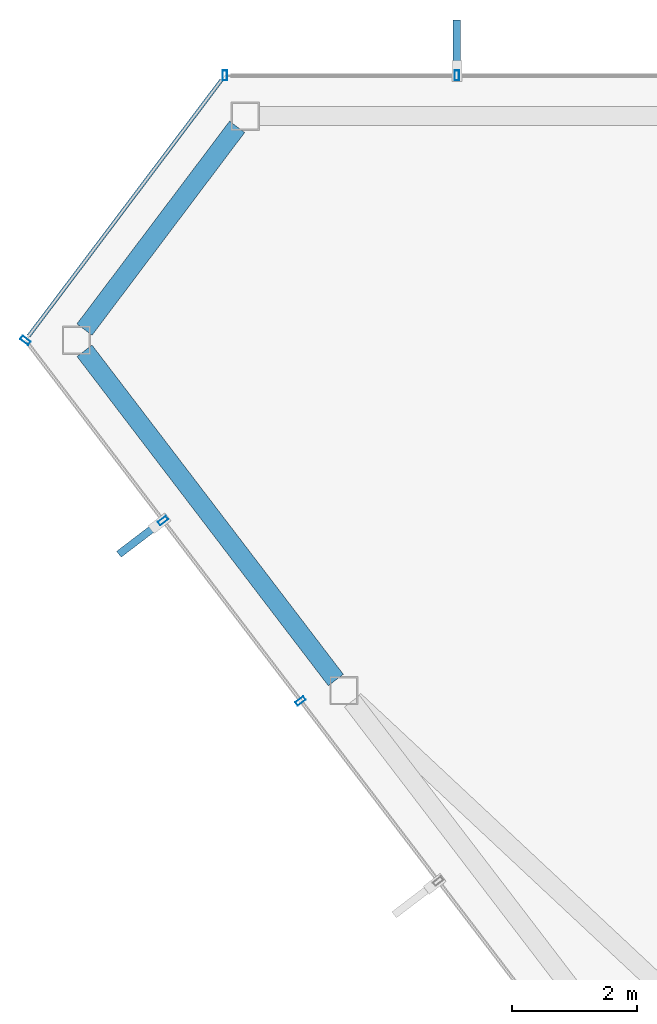
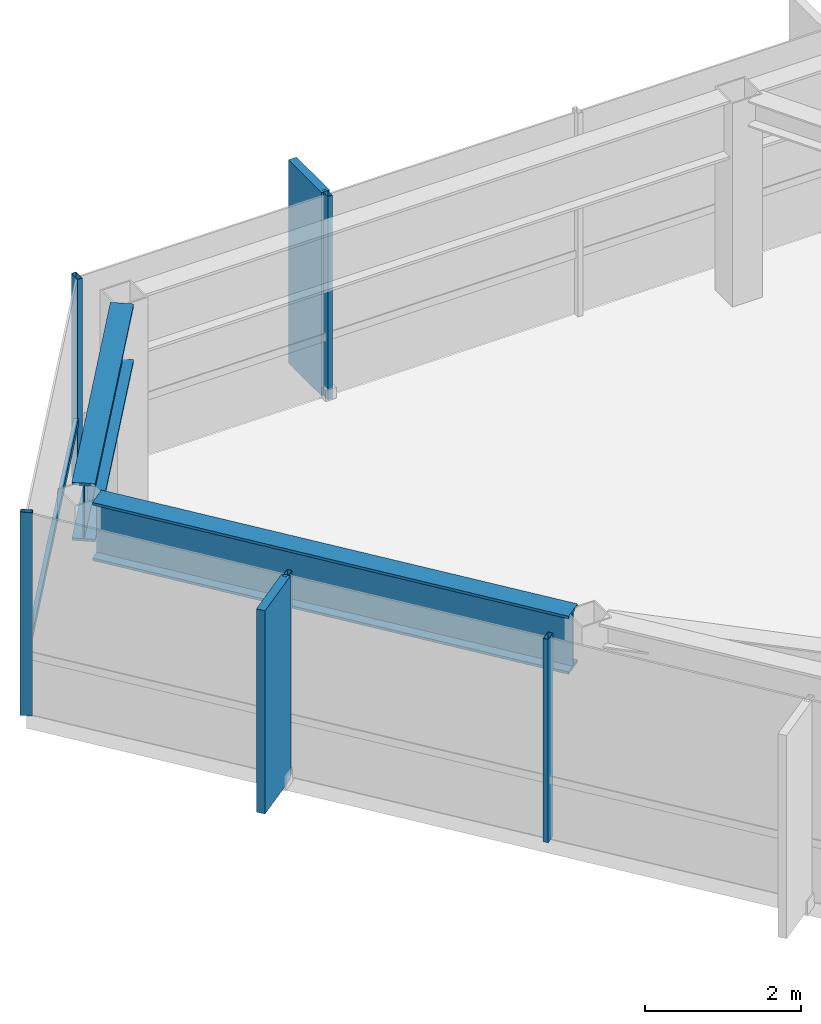
# One storey, part 10 of 22: 8 members, 2 beams, 3 elements without a shape of their own.
"""IFC4 building model written with IfcOpenShell, lengths in metres."""

from ifc_helpers import new_model, si_unit, direction, frame, origin, origin_2d, place, context, subcontext, project, spatial, rectangle, hollow_rectangle, i_section, extrude, material, layer, layer_set, material_profile, profile_set, type_object, element, aggregate, save


model = new_model("IFC4")

# Units and contexts
model_context = context("Model", 3, precision=1e-05, world=origin(), true_north=direction((0.0, 1.0)))
body_context = subcontext(model_context, "Body", "Model", "MODEL_VIEW")
ifc_project = project(units=[si_unit("LENGTHUNIT", "METRE"), si_unit("AREAUNIT", "SQUARE_METRE"), si_unit("VOLUMEUNIT", "CUBIC_METRE"), si_unit("PLANEANGLEUNIT", "RADIAN"), si_unit("MASSUNIT", "GRAM", prefix="KILO")], contexts=[model_context])

# Site, building, storey
site_placement = place(None, origin())
site = spatial("IfcSite", under=ifc_project, at=site_placement, CompositionType="ELEMENT")
building_placement = place(site_placement, origin())
building = spatial("IfcBuilding", under=site, at=building_placement, Name="Zarrinselat Tower", CompositionType="ELEMENT")
storey_placement = place(building_placement, frame((0.0, 0.0, 289.0)))
storey = spatial("IfcBuildingStorey", under=building, at=storey_placement, Name="L74", CompositionType="ELEMENT", Elevation=289.0)

# Beams
ifc_material_1 = material(Name="Steel S460M", Category="steel")
ifc_material_profile_1 = material_profile(ifc_material_1, i_section(OverallWidth=0.302001953125, OverallDepth=0.909912109375, WebThickness=0.02099609375, FlangeThickness=0.0400390625, at=origin_2d()), Name="HEM 900")
ifc_profile_set_1 = profile_set([ifc_material_profile_1], Name="Steel S460M")
beam_type = type_object("IfcBeamType", Name="BM-HEM900", PredefinedType="BEAM", material=ifc_profile_set_1)
beam_1_placement = place(storey_placement, frame((17.4892578125, 43.460205078125, 2.72509765625), z_axis=(0.601656958358, 0.798754595893, 0.0), x_axis=(-0.798754595893, 0.601656958358, 0.0)))
element("IfcBeam", 1, at=beam_1_placement, inside=storey, type_object=beam_type, Name="L74 Perimeter Spandrel Girder SP05", PredefinedType="BEAM", context=body_context, shape_type="SweptSolid", body=[
    extrude(i_section(OverallWidth=0.302001953125, OverallDepth=0.909912109375, WebThickness=0.02099609375, FlangeThickness=0.0400390625, at=origin_2d()), origin(), (0.0, 0.0, 1.0), 4.0517578125),
])
beam_2_placement = place(storey_placement, frame((17.490234375, 43.120849609375, 2.72509765625), z_axis=(0.606819456319, -0.794839699205, 0.0), x_axis=(0.794839699205, 0.606819456319, 0.0)))
element("IfcBeam", 2, at=beam_2_placement, inside=storey, type_object=beam_type, Name="L74 Perimeter Spandrel Girder SP06", PredefinedType="BEAM", context=body_context, shape_type="SweptSolid", body=[
    extrude(i_section(OverallWidth=0.302001953125, OverallDepth=0.909912109375, WebThickness=0.02099609375, FlangeThickness=0.0400390625, at=origin_2d()), origin(), (0.0, 0.0, 1.0), 6.61181640625),
])

# Curtain wall, members
ifc_material_2 = material(Name="Extruded Aluminium Alloy EN AW-6063 T6", Category="aluminium")
ifc_layer = layer(ifc_material_2, 0.169921875)
ifc_layer_set = layer_set([ifc_layer], Name="Extruded Aluminium Alloy EN AW-6063 T6")
curtain_wall_type = type_object("IfcCurtainWallType", Name="CWS-RES", PredefinedType="NOTDEFINED", material=ifc_layer_set)
curtain_wall_1_placement = place(storey_placement, origin())
curtain_wall_1 = element("IfcCurtainWall", 3, at=curtain_wall_1_placement, inside=storey, type_object=curtain_wall_type, Name="L74 Unitised Curtain Wall CW-L74-E01", PredefinedType="NOTDEFINED")
ifc_material_3 = material(Name="Extruded Aluminium Alloy EN AW-6063 T6", Category="aluminium")
ifc_material_profile_2 = material_profile(ifc_material_3, hollow_rectangle(XDim=0.070068359375, YDim=0.159912109375, WallThickness=0.00390625, at=origin_2d()), Name="RHS 160x70x4")
ifc_profile_set_2 = profile_set([ifc_material_profile_2], Name="Extruded Aluminium Alloy EN AW-6063 T6")
member_type_1 = type_object("IfcMemberType", Name="MEM-CW-MUL2", PredefinedType="MULLION", material=ifc_profile_set_2)
member_1_placement = place(storey_placement, frame((23.43359375, 47.5166015625, 0.0), z_axis=(0.0, 0.0, 1.0), x_axis=(-1.0, 0.0, 0.0)))
member_1 = element("IfcMember", 4, at=member_1_placement, type_object=member_type_1, Name="CW-L74-E01 Mullion 9", PredefinedType="MULLION", context=body_context, shape_type="SweptSolid", body=[
    extrude(hollow_rectangle(XDim=0.070068359375, YDim=0.159912109375, WallThickness=0.00390625, at=origin_2d()), origin(), (0.0, 0.0, 1.0), 3.179931640625),
])
member_2_placement = place(storey_placement, frame((19.731201171875, 47.5166015625, 0.0), z_axis=(0.0, 0.0, 1.0), x_axis=(-1.0, 0.0, 0.0)))
member_2 = element("IfcMember", 5, at=member_2_placement, type_object=member_type_1, Name="CW-L74-E01 Mullion 10", PredefinedType="MULLION", context=body_context, shape_type="SweptSolid", body=[
    extrude(hollow_rectangle(XDim=0.070068359375, YDim=0.159912109375, WallThickness=0.00390625, at=origin_2d()), origin(), (0.0, 0.0, 1.0), 3.179931640625),
])

# Curtain wall, member
curtain_wall_2_placement = place(storey_placement, origin())
curtain_wall_2 = element("IfcCurtainWall", 6, at=curtain_wall_2_placement, inside=storey, type_object=curtain_wall_type, Name="L74 Unitised Curtain Wall CW-L74-E02", PredefinedType="NOTDEFINED")
member_3_placement = place(storey_placement, frame((16.54541015625, 43.28759765625, 0.0), z_axis=(0.0, 0.0, 1.0), x_axis=(-0.601678799407, -0.798738143789, 0.0)))
member_3 = element("IfcMember", 7, at=member_3_placement, type_object=member_type_1, Name="CW-L74-E02 Mullion 1", PredefinedType="MULLION", context=body_context, shape_type="SweptSolid", body=[
    extrude(hollow_rectangle(XDim=0.070068359375, YDim=0.159912109375, WallThickness=0.00390625, at=origin_2d()), origin(), (0.0, 0.0, 1.0), 3.179931640625),
])

# Curtain wall, members
curtain_wall_3_placement = place(storey_placement, origin())
curtain_wall_3 = element("IfcCurtainWall", 8, at=curtain_wall_3_placement, inside=storey, type_object=curtain_wall_type, Name="L74 Unitised Curtain Wall CW-L74-E03", PredefinedType="NOTDEFINED")
member_4_placement = place(storey_placement, frame((18.7421875, 40.40966796875, 0.0), z_axis=(0.0, 0.0, 1.0), x_axis=(0.606801746242, -0.794853219631, 0.0)))
member_4 = element("IfcMember", 9, at=member_4_placement, type_object=member_type_1, Name="CW-L74-E03 Mullion 1", PredefinedType="MULLION", context=body_context, shape_type="SweptSolid", body=[
    extrude(hollow_rectangle(XDim=0.070068359375, YDim=0.159912109375, WallThickness=0.00390625, at=origin_2d()), origin(), (0.0, 0.0, 1.0), 3.179931640625),
])
member_5_placement = place(storey_placement, frame((20.939453125, 37.53173828125, 0.0), z_axis=(0.0, 0.0, 1.0), x_axis=(0.606801746242, -0.794853219631, 0.0)))
member_5 = element("IfcMember", 10, at=member_5_placement, type_object=member_type_1, Name="CW-L74-E03 Mullion 2", PredefinedType="MULLION", context=body_context, shape_type="SweptSolid", body=[
    extrude(hollow_rectangle(XDim=0.070068359375, YDim=0.159912109375, WallThickness=0.00390625, at=origin_2d()), origin(), (0.0, 0.0, 1.0), 3.179931640625),
])

# Member
ifc_material_4 = material(Name="Extruded Aluminium Alloy EN AW-6063 T6", Category="aluminium")
ifc_material_profile_3 = material_profile(ifc_material_4, hollow_rectangle(XDim=0.06005859375, YDim=0.1201171875, WallThickness=0.00390625, at=origin_2d()), Name="RHS 120x60x4")
ifc_profile_set_3 = profile_set([ifc_material_profile_3], Name="Extruded Aluminium Alloy EN AW-6063 T6")
member_type_2 = type_object("IfcMemberType", Name="MEM-CW-TRN2", PredefinedType="USERDEFINED", material=ifc_profile_set_3)
member_6_placement = place(storey_placement, frame((19.677001953125, 47.44482421875, 0.949951171875), z_axis=(-0.601663597647, -0.798749594846, 0.0), x_axis=(0.798749594846, -0.601663597647, 0.0)))
member_6 = element("IfcMember", 11, at=member_6_placement, type_object=member_type_2, Name="CW-L74-E02 Transom 1", ObjectType="TRANSOM", PredefinedType="USERDEFINED", context=body_context, shape_type="SweptSolid", body=[
    extrude(hollow_rectangle(XDim=0.06005859375, YDim=0.1201171875, WallThickness=0.00390625, at=origin_2d()), origin(), (0.0, 0.0, 1.0), 5.11474609375),
])

aggregate(curtain_wall_2, [member_3, member_6])

ifc_material_5 = material(Name="Honed Cream Travertine Stone", Category="masonry")
ifc_material_profile_4 = material_profile(ifc_material_5, rectangle(XDim=0.1201171875, YDim=0.85009765625, at=origin_2d()), Name="FIN 850x120")
ifc_profile_set_4 = profile_set([ifc_material_profile_4], Name="Honed Cream Travertine Stone")
member_type_3 = type_object("IfcMemberType", Name="MEM-STONE-FIN", PredefinedType="USERDEFINED", material=ifc_profile_set_4)
member_7_placement = place(storey_placement, frame((23.43359375, 47.976806640625, 0.0), z_axis=(0.0, 0.0, 1.0), x_axis=(1.0, 0.0, 0.0)))
member_7 = element("IfcMember", 12, at=member_7_placement, type_object=member_type_3, Name="L74 Stone Shading Fin CW-L74-E01-09", ObjectType="FIN", PredefinedType="USERDEFINED", context=body_context, shape_type="SweptSolid", body=[
    extrude(rectangle(XDim=0.1201171875, YDim=0.85009765625, at=origin_2d()), origin(), (0.0, 0.0, 1.0), 3.179931640625),
])

aggregate(curtain_wall_1, [member_1, member_7, member_2])

member_8_placement = place(storey_placement, frame((18.376708984375, 40.130615234375, 0.0), z_axis=(0.0, 0.0, 1.0), x_axis=(-0.606801746242, 0.794853219631, 0.0)))
member_8 = element("IfcMember", 13, at=member_8_placement, type_object=member_type_3, Name="L74 Stone Shading Fin CW-L74-E03-01", ObjectType="FIN", PredefinedType="USERDEFINED", context=body_context, shape_type="SweptSolid", body=[
    extrude(rectangle(XDim=0.1201171875, YDim=0.85009765625, at=origin_2d()), origin(), (0.0, 0.0, 1.0), 3.179931640625),
])

aggregate(curtain_wall_3, [member_4, member_8, member_5])

save(model, "model.ifc")
